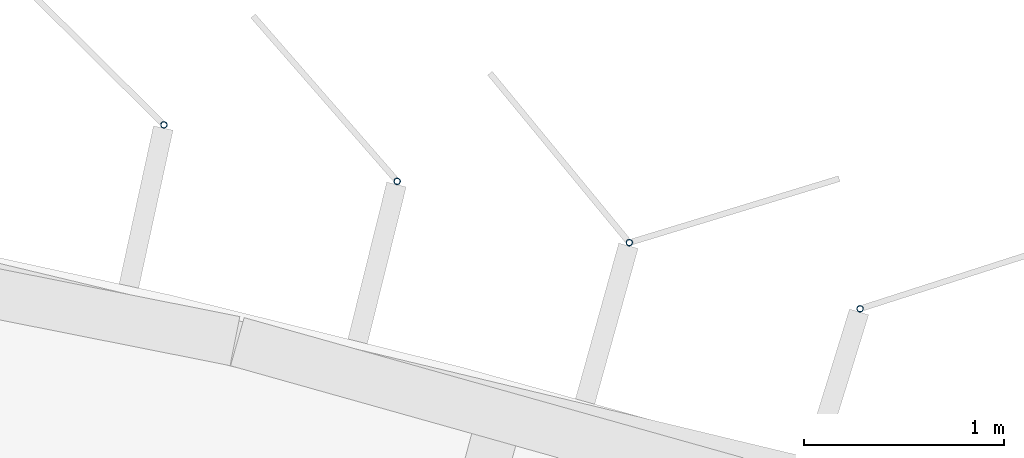
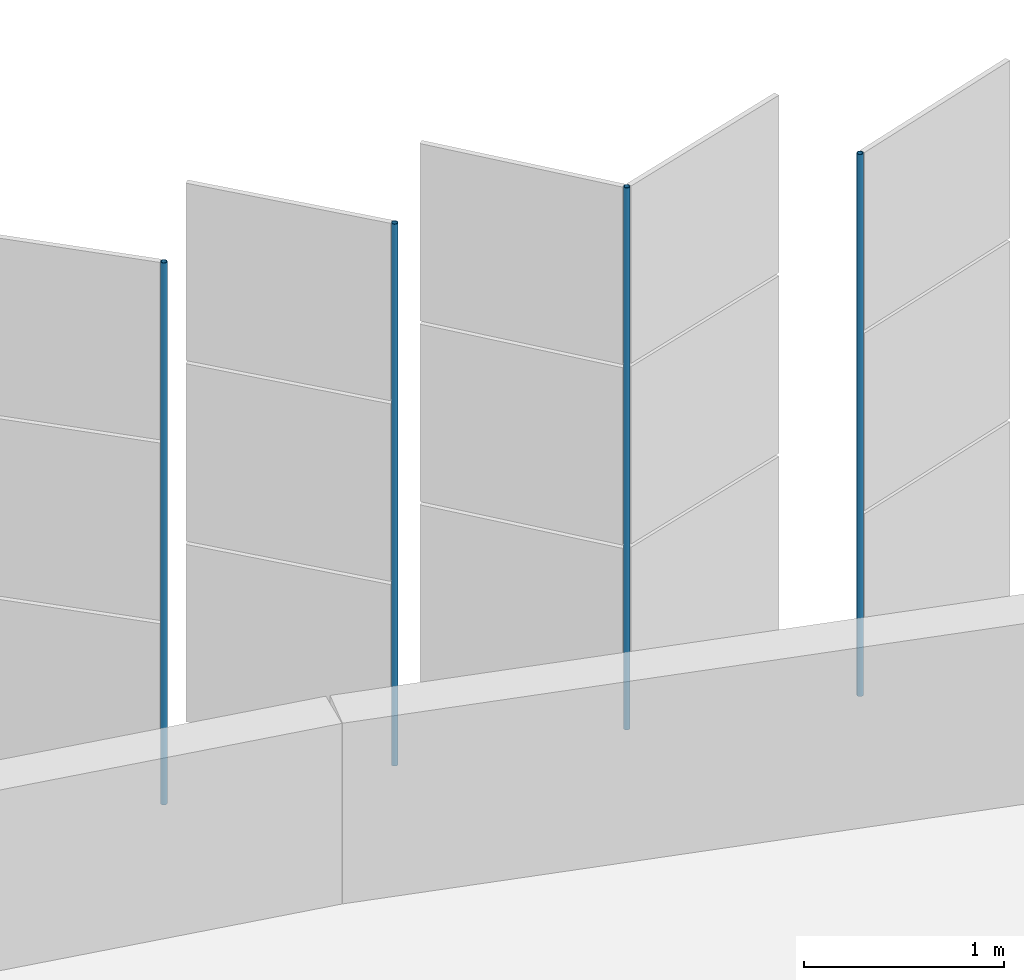
# One storey, part 162 of 199: 4 discrete accessories.
"""IFC4 building model written with IfcOpenShell, lengths in metres."""

from ifc_helpers import new_model, si_unit, direction, frame, origin, origin_2d, place, context, subcontext, project, spatial, hollow_circle, extrude, material, material_profile, profile_set, type_object, element, save


model = new_model("IFC4")

# Units and contexts
model_context = context("Model", 3, precision=1e-05, world=origin(), true_north=direction((0.0, 1.0)))
body_context = subcontext(model_context, "Body", "Model", "MODEL_VIEW")
ifc_project = project(units=[si_unit("LENGTHUNIT", "METRE"), si_unit("AREAUNIT", "SQUARE_METRE"), si_unit("VOLUMEUNIT", "CUBIC_METRE"), si_unit("PLANEANGLEUNIT", "RADIAN"), si_unit("MASSUNIT", "GRAM", prefix="KILO")], contexts=[model_context])

# Site, building, storey
site_placement = place(None, origin())
site = spatial("IfcSite", under=ifc_project, at=site_placement, CompositionType="ELEMENT")
building_placement = place(site_placement, origin())
building = spatial("IfcBuilding", under=site, at=building_placement, Name="Parallax Yard Mobility Hub", CompositionType="ELEMENT")
storey_placement = place(building_placement, frame((0.0, 0.0, 9.89990234375)))
storey = spatial("IfcBuildingStorey", under=building, at=storey_placement, Name="L03", CompositionType="ELEMENT", Elevation=9.89990234375)

# Discrete accessories
ifc_material = material(Name="Steel ASTM A500 Gr C, hot-dip galvanised", Category="steel")
ifc_material_profile = material_profile(ifc_material, hollow_circle(Radius=0.016845703125, WallThickness=0.003173828125, at=origin_2d()), Name="CHS 33.7x3.2")
ifc_profile_set = profile_set([ifc_material_profile], Name="Steel ASTM A500 Gr C, hot-dip galvanised")
discrete_accessory_type = type_object("IfcDiscreteAccessoryType", Name="Hinge post CHS 33.7x3.2", PredefinedType="BRACKET", material=ifc_profile_set)
for number, where, z_axis, x_axis, name in (
    (1, (187.8388671875, 141.06640625, 0.0), (0.0, 0.0, 1.0), (1.0, 0.0, 0.0), "Hinge post bay 49.2 level L03"),
    (2, (186.685791015625, 141.396728515625, 0.0), (0.0, 0.0, 1.0), (1.0, 0.0, 0.0), "Hinge post bay 49.3 level L03"),
    (3, (185.52587890625, 141.703369140625, 0.0), (0.0, 0.0, 1.0), (1.0, 0.0, 0.0), "Hinge post bay 49.4 level L03"),
    (4, (184.360107421875, 141.985595703125, 0.0), (0.0, 0.0, 1.0), (1.0, 0.0, 0.0), "Hinge post bay 49.5 level L03"),
):
    element("IfcDiscreteAccessory", number, at=place(storey_placement, frame(where, z_axis=z_axis, x_axis=x_axis)), inside=storey, type_object=discrete_accessory_type, Name=name, PredefinedType="BRACKET", context=body_context, shape_type="SweptSolid", body=[
        extrude(hollow_circle(Radius=0.016845703125, WallThickness=0.003173828125, at=origin_2d()), origin(), (0.0, 0.0, 1.0), 3.300048828125),
    ])

save(model, "model.ifc")
